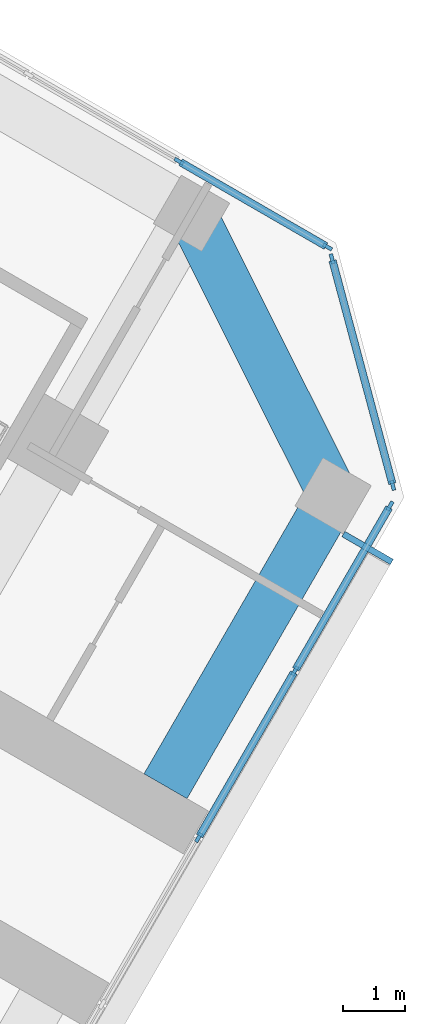
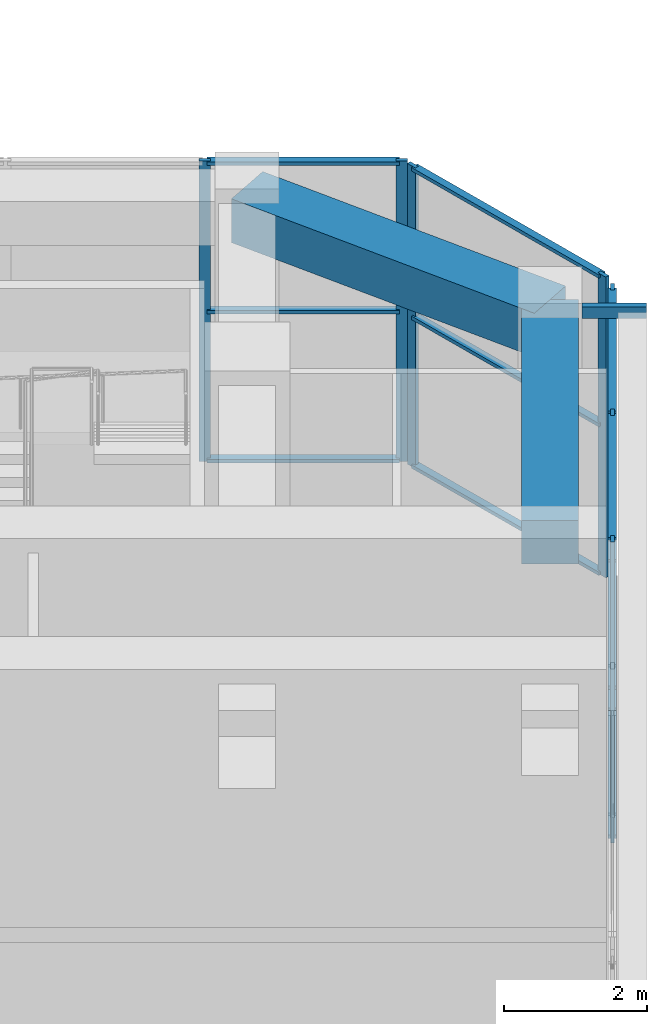
# One storey, part 10 of 20: 20 members, 2 beams, 3 elements without a shape of their own.
"""IFC4 building model written with IfcOpenShell, lengths in metres."""

from ifc_helpers import new_model, si_unit, direction, frame, origin, origin_2d, place, context, subcontext, project, spatial, rectangle, hollow_rectangle, extrude, material, material_profile, profile_set, type_object, element, aggregate, save


model = new_model("IFC4")

# Units and contexts
model_context = context("Model", 3, precision=1e-05, world=origin(), true_north=direction((0.0, 1.0)))
body_context = subcontext(model_context, "Body", "Model", "MODEL_VIEW")
ifc_project = project(units=[si_unit("LENGTHUNIT", "METRE"), si_unit("AREAUNIT", "SQUARE_METRE"), si_unit("VOLUMEUNIT", "CUBIC_METRE"), si_unit("PLANEANGLEUNIT", "RADIAN"), si_unit("MASSUNIT", "GRAM", prefix="KILO")], contexts=[model_context])

# Site, building, storey
site_placement = place(None, origin())
site = spatial("IfcSite", under=ifc_project, at=site_placement, CompositionType="ELEMENT")
building_placement = place(site_placement, origin())
building = spatial("IfcBuilding", under=site, at=building_placement, Name="Kosmar Iwan School Tower", CompositionType="ELEMENT")
storey_placement = place(building_placement, frame((0.0, 0.0, 152.60009765625)))
storey = spatial("IfcBuildingStorey", under=building, at=storey_placement, Name="L38", CompositionType="ELEMENT", Elevation=152.60009765625)

# Member
ifc_material_1 = material(Name="Steel S355", Category="steel")
ifc_material_profile_1 = material_profile(ifc_material_1, hollow_rectangle(XDim=0.10009765625, YDim=0.199951171875, WallThickness=0.008056640625, at=origin_2d()), Name="RHS 200x100x8")
ifc_profile_set_1 = profile_set([ifc_material_profile_1], Name="Steel S355")
member_type_1 = type_object("IfcMemberType", Name="Fin bracket RHS 200x100", PredefinedType="USERDEFINED", material=ifc_profile_set_1)
member_1_placement = place(storey_placement, frame((32.963134765625, -11.006103515625, 5.27490234375), z_axis=(0.866081705922, -0.499902469156, 0.0), x_axis=(0.499902469156, 0.866081705922, 0.0)))
element("IfcMember", 1, at=member_1_placement, inside=storey, type_object=member_type_1, Name="Fin bracket L39", ObjectType="FIN BRACKET", PredefinedType="USERDEFINED", context=body_context, shape_type="SweptSolid", body=[
    extrude(hollow_rectangle(XDim=0.10009765625, YDim=0.199951171875, WallThickness=0.008056640625, at=origin_2d()), origin(), (0.0, 0.0, 1.0), 0.900146484375),
])

# Curtain wall, members
ifc_material_2 = material(Name="Dark glass in black aluminium frame", Category="aluminium")
curtain_wall_type_1 = type_object("IfcCurtainWallType", Name="Tower curtain wall dark glass", PredefinedType="USERDEFINED", material=ifc_material_2)
curtain_wall_1_placement = place(storey_placement, origin())
curtain_wall_1 = element("IfcCurtainWall", 2, at=curtain_wall_1_placement, inside=storey, type_object=curtain_wall_type_1, Name="Curtain wall L38-F03", ObjectType="UNITISED CURTAIN WALL", PredefinedType="USERDEFINED")
ifc_material_3 = material(Name="Black anodised aluminium", Category="aluminium")
ifc_material_profile_2 = material_profile(ifc_material_3, rectangle(XDim=0.06005859375, YDim=0.159912109375, at=origin_2d()), Name="MULLION 60x160")
ifc_profile_set_2 = profile_set([ifc_material_profile_2], Name="Black anodised aluminium")
member_type_2 = type_object("IfcMemberType", Name="Mullion 60x160", PredefinedType="MULLION", material=ifc_profile_set_2)
member_2_placement = place(storey_placement, frame((30.631103515625, -15.8955078125, 0.0), z_axis=(0.0, 0.0, 1.0), x_axis=(-0.866025405329, 0.499999997325, 0.0)))
member_2 = element("IfcMember", 3, at=member_2_placement, type_object=member_type_2, Name="CW1 mullion 4", PredefinedType="MULLION", context=body_context, shape_type="SweptSolid", body=[
    extrude(rectangle(XDim=0.06005859375, YDim=0.159912109375, at=origin_2d()), origin(), (0.0, 0.0, 1.0), 5.14990234375),
])
member_3_placement = place(storey_placement, frame((32.1806640625, -13.21142578125, 0.0), z_axis=(0.0, 0.0, 1.0), x_axis=(-0.866025405329, 0.499999997325, 0.0)))
member_3 = element("IfcMember", 4, at=member_3_placement, type_object=member_type_2, Name="CW1 mullion 5", PredefinedType="MULLION", context=body_context, shape_type="SweptSolid", body=[
    extrude(rectangle(XDim=0.06005859375, YDim=0.159912109375, at=origin_2d()), origin(), (0.0, 0.0, 1.0), 5.14990234375),
])
member_4_placement = place(storey_placement, frame((33.71533203125, -10.55322265625, 0.0), z_axis=(0.0, 0.0, 1.0), x_axis=(-0.866025405329, 0.499999997325, 0.0)))
member_4 = element("IfcMember", 5, at=member_4_placement, type_object=member_type_2, Name="CW1 mullion 6", PredefinedType="MULLION", context=body_context, shape_type="SweptSolid", body=[
    extrude(rectangle(XDim=0.06005859375, YDim=0.159912109375, at=origin_2d()), origin(), (0.0, 0.0, 1.0), 5.14990234375),
])

ifc_material_4 = material(Name="Dark glass in black aluminium frame", Category="aluminium")
curtain_wall_type_2 = type_object("IfcCurtainWallType", Name="Chamfer curtain wall dark glass", PredefinedType="USERDEFINED", material=ifc_material_4)
curtain_wall_2_placement = place(storey_placement, origin())
curtain_wall_2 = element("IfcCurtainWall", 6, at=curtain_wall_2_placement, inside=storey, type_object=curtain_wall_type_2, Name="Curtain wall L38-F04", ObjectType="FACETED CURTAIN WALL", PredefinedType="USERDEFINED")
member_5_placement = place(storey_placement, frame((33.7587890625, -10.2236328125, 0.0), z_axis=(0.0, 0.0, 1.0), x_axis=(-0.965925875495, -0.258818861462, 0.0)))
member_5 = element("IfcMember", 7, at=member_5_placement, type_object=member_type_2, Name="CW2 mullion 1", PredefinedType="MULLION", context=body_context, shape_type="SweptSolid", body=[
    extrude(rectangle(XDim=0.06005859375, YDim=0.159912109375, at=origin_2d()), origin(), (0.0, 0.0, 1.0), 5.14990234375),
])
member_6_placement = place(storey_placement, frame((32.78076171875, -6.5732421875, 0.0), z_axis=(0.0, 0.0, 1.0), x_axis=(-0.965925875495, -0.258818861462, 0.0)))
member_6 = element("IfcMember", 8, at=member_6_placement, type_object=member_type_2, Name="CW2 mullion 2", PredefinedType="MULLION", context=body_context, shape_type="SweptSolid", body=[
    extrude(rectangle(XDim=0.06005859375, YDim=0.159912109375, at=origin_2d()), origin(), (0.0, 0.0, 1.0), 5.14990234375),
])

ifc_material_5 = material(Name="Dark glass in black aluminium frame", Category="aluminium")
curtain_wall_type_3 = type_object("IfcCurtainWallType", Name="Winter garden curtain wall", PredefinedType="USERDEFINED", material=ifc_material_5)
curtain_wall_3_placement = place(storey_placement, origin())
curtain_wall_3 = element("IfcCurtainWall", 9, at=curtain_wall_3_placement, inside=storey, type_object=curtain_wall_type_3, Name="Curtain wall L38-F05", ObjectType="WINTER GARDEN CURTAIN WALL", PredefinedType="USERDEFINED")
member_7_placement = place(storey_placement, frame((30.31494140625, -5.002685546875, 0.0), z_axis=(0.0, 0.0, 1.0), x_axis=(0.500000014888, 0.866025395189, 0.0)))
member_7 = element("IfcMember", 10, at=member_7_placement, type_object=member_type_2, Name="CW7 mullion 9", PredefinedType="MULLION", context=body_context, shape_type="SweptSolid", body=[
    extrude(rectangle(XDim=0.06005859375, YDim=0.159912109375, at=origin_2d()), origin(), (0.0, 0.0, 1.0), 5.14990234375),
])
member_8_placement = place(storey_placement, frame((32.7080078125, -6.38427734375, 0.0), z_axis=(0.0, 0.0, 1.0), x_axis=(0.500000014888, 0.866025395189, 0.0)))
member_8 = element("IfcMember", 11, at=member_8_placement, type_object=member_type_2, Name="CW7 mullion 10", PredefinedType="MULLION", context=body_context, shape_type="SweptSolid", body=[
    extrude(rectangle(XDim=0.06005859375, YDim=0.159912109375, at=origin_2d()), origin(), (0.0, 0.0, 1.0), 5.14990234375),
])

# Beams
ifc_material_6 = material(Name="Concrete C50/60", Category="concrete")
ifc_material_profile_3 = material_profile(ifc_material_6, rectangle(XDim=0.800048828125, YDim=0.75, at=origin_2d()), Name="RC 800x750")
ifc_profile_set_3 = profile_set([ifc_material_profile_3], Name="Concrete C50/60")
beam_type = type_object("IfcBeamType", Name="RC tip beam 800x750", PredefinedType="BEAM", material=ifc_profile_set_3)
beam_1_placement = place(storey_placement, frame((30.517822265625, -5.841552734375, 4.77490234375), z_axis=(0.44809604203, -0.893985423325, 0.0), x_axis=(0.893985423325, 0.44809604203, 0.0)))
element("IfcBeam", 12, at=beam_1_placement, inside=storey, type_object=beam_type, Name="Tip beam CL", PredefinedType="BEAM", context=body_context, shape_type="SweptSolid", body=[
    extrude(rectangle(XDim=0.800048828125, YDim=0.75, at=origin_2d()), origin(), (0.0, 0.0, 1.0), 5.08935546875),
])
beam_2_placement = place(storey_placement, frame((32.79833984375, -10.391357421875, 4.77490234375), z_axis=(-0.499995103361, -0.866028230842, 0.0), x_axis=(0.866028230842, -0.499995103361, 0.0)))
element("IfcBeam", 13, at=beam_2_placement, inside=storey, type_object=beam_type, Name="Tip beam CL to corridor wall", PredefinedType="BEAM", context=body_context, shape_type="SweptSolid", body=[
    extrude(rectangle(XDim=0.800048828125, YDim=0.75, at=origin_2d()), origin(), (0.0, 0.0, 1.0), 5.39990234375),
])

# Member
ifc_material_7 = material(Name="Black anodised aluminium", Category="aluminium")
ifc_material_profile_4 = material_profile(ifc_material_7, rectangle(XDim=0.1201171875, YDim=0.06005859375, at=origin_2d()), Name="TRANSOM 60x120")
ifc_profile_set_4 = profile_set([ifc_material_profile_4], Name="Black anodised aluminium")
member_type_3 = type_object("IfcMemberType", Name="Transom 60x120", PredefinedType="USERDEFINED", material=ifc_profile_set_4)
member_9_placement = place(storey_placement, frame((30.64599609375, -15.869384765625, 0.02978515625), z_axis=(0.500035348339, 0.866004994449, 0.0), x_axis=(-0.866004994449, 0.500035348339, 0.0)))
member_9 = element("IfcMember", 14, at=member_9_placement, type_object=member_type_3, Name="CW1 transom 4.1", ObjectType="TRANSOM", PredefinedType="USERDEFINED", context=body_context, shape_type="SweptSolid", body=[
    extrude(rectangle(XDim=0.1201171875, YDim=0.06005859375, at=origin_2d()), origin(), (0.0, 0.0, 1.0), 3.039306640625),
])

member_10_placement = place(storey_placement, frame((30.64599609375, -15.869384765625, 2.574951171875), z_axis=(0.500035348339, 0.866004994449, 0.0), x_axis=(-0.866004994449, 0.500035348339, 0.0)))
member_10 = element("IfcMember", 15, at=member_10_placement, type_object=member_type_3, Name="CW1 transom 4.2", ObjectType="TRANSOM", PredefinedType="USERDEFINED", context=body_context, shape_type="SweptSolid", body=[
    extrude(rectangle(XDim=0.1201171875, YDim=0.06005859375, at=origin_2d()), origin(), (0.0, 0.0, 1.0), 3.039306640625),
])

member_11_placement = place(storey_placement, frame((30.64599609375, -15.869384765625, 5.119873046875), z_axis=(0.500035348339, 0.866004994449, 0.0), x_axis=(-0.866004994449, 0.500035348339, 0.0)))
member_11 = element("IfcMember", 16, at=member_11_placement, type_object=member_type_3, Name="CW1 transom 4.3", ObjectType="TRANSOM", PredefinedType="USERDEFINED", context=body_context, shape_type="SweptSolid", body=[
    extrude(rectangle(XDim=0.1201171875, YDim=0.06005859375, at=origin_2d()), origin(), (0.0, 0.0, 1.0), 3.039306640625),
])

member_12_placement = place(storey_placement, frame((32.19580078125, -13.185302734375, 0.02978515625), z_axis=(0.500022102064, 0.866012642776, 0.0), x_axis=(-0.866012642776, 0.500022102064, 0.0)))
member_12 = element("IfcMember", 17, at=member_12_placement, type_object=member_type_3, Name="CW1 transom 5.1", ObjectType="TRANSOM", PredefinedType="USERDEFINED", context=body_context, shape_type="SweptSolid", body=[
    extrude(rectangle(XDim=0.1201171875, YDim=0.06005859375, at=origin_2d()), origin(), (0.0, 0.0, 1.0), 3.009033203125),
])

member_13_placement = place(storey_placement, frame((32.19580078125, -13.185302734375, 2.574951171875), z_axis=(0.500022102064, 0.866012642776, 0.0), x_axis=(-0.866012642776, 0.500022102064, 0.0)))
member_13 = element("IfcMember", 18, at=member_13_placement, type_object=member_type_3, Name="CW1 transom 5.2", ObjectType="TRANSOM", PredefinedType="USERDEFINED", context=body_context, shape_type="SweptSolid", body=[
    extrude(rectangle(XDim=0.1201171875, YDim=0.06005859375, at=origin_2d()), origin(), (0.0, 0.0, 1.0), 3.009033203125),
])

member_14_placement = place(storey_placement, frame((32.19580078125, -13.185302734375, 5.119873046875), z_axis=(0.500022102064, 0.866012642776, 0.0), x_axis=(-0.866012642776, 0.500022102064, 0.0)))
member_14 = element("IfcMember", 19, at=member_14_placement, type_object=member_type_3, Name="CW1 transom 5.3", ObjectType="TRANSOM", PredefinedType="USERDEFINED", context=body_context, shape_type="SweptSolid", body=[
    extrude(rectangle(XDim=0.1201171875, YDim=0.06005859375, at=origin_2d()), origin(), (0.0, 0.0, 1.0), 3.009033203125),
])

aggregate(curtain_wall_1, [member_2, member_3, member_4, member_9, member_10, member_11, member_12, member_13, member_14])

member_15_placement = place(storey_placement, frame((33.7509765625, -10.194580078125, 0.02978515625), z_axis=(-0.258843273983, 0.965919333854, 0.0), x_axis=(-0.965919333854, -0.258843273983, 0.0)))
member_15 = element("IfcMember", 20, at=member_15_placement, type_object=member_type_3, Name="CW2 transom 1.1", ObjectType="TRANSOM", PredefinedType="USERDEFINED", context=body_context, shape_type="SweptSolid", body=[
    extrude(rectangle(XDim=0.1201171875, YDim=0.06005859375, at=origin_2d()), origin(), (0.0, 0.0, 1.0), 3.718994140625),
])

member_16_placement = place(storey_placement, frame((33.7509765625, -10.194580078125, 2.574951171875), z_axis=(-0.258843273983, 0.965919333854, 0.0), x_axis=(-0.965919333854, -0.258843273983, 0.0)))
member_16 = element("IfcMember", 21, at=member_16_placement, type_object=member_type_3, Name="CW2 transom 1.2", ObjectType="TRANSOM", PredefinedType="USERDEFINED", context=body_context, shape_type="SweptSolid", body=[
    extrude(rectangle(XDim=0.1201171875, YDim=0.06005859375, at=origin_2d()), origin(), (0.0, 0.0, 1.0), 3.718994140625),
])

member_17_placement = place(storey_placement, frame((33.7509765625, -10.194580078125, 5.119873046875), z_axis=(-0.258843273983, 0.965919333854, 0.0), x_axis=(-0.965919333854, -0.258843273983, 0.0)))
member_17 = element("IfcMember", 22, at=member_17_placement, type_object=member_type_3, Name="CW2 transom 1.3", ObjectType="TRANSOM", PredefinedType="USERDEFINED", context=body_context, shape_type="SweptSolid", body=[
    extrude(rectangle(XDim=0.1201171875, YDim=0.06005859375, at=origin_2d()), origin(), (0.0, 0.0, 1.0), 3.718994140625),
])

aggregate(curtain_wall_2, [member_5, member_6, member_15, member_16, member_17])

member_18_placement = place(storey_placement, frame((30.341064453125, -5.017822265625, 0.02978515625), z_axis=(0.866033683985, -0.499985657998, 0.0), x_axis=(0.499985657998, 0.866033683985, 0.0)))
member_18 = element("IfcMember", 23, at=member_18_placement, type_object=member_type_3, Name="CW7 transom 9.1", ObjectType="TRANSOM", PredefinedType="USERDEFINED", context=body_context, shape_type="SweptSolid", body=[
    extrude(rectangle(XDim=0.1201171875, YDim=0.06005859375, at=origin_2d()), origin(), (0.0, 0.0, 1.0), 2.703125),
])

member_19_placement = place(storey_placement, frame((30.341064453125, -5.017822265625, 2.574951171875), z_axis=(0.866033683985, -0.499985657998, 0.0), x_axis=(0.499985657998, 0.866033683985, 0.0)))
member_19 = element("IfcMember", 24, at=member_19_placement, type_object=member_type_3, Name="CW7 transom 9.2", ObjectType="TRANSOM", PredefinedType="USERDEFINED", context=body_context, shape_type="SweptSolid", body=[
    extrude(rectangle(XDim=0.1201171875, YDim=0.06005859375, at=origin_2d()), origin(), (0.0, 0.0, 1.0), 2.703125),
])

member_20_placement = place(storey_placement, frame((30.341064453125, -5.017822265625, 5.119873046875), z_axis=(0.866033683985, -0.499985657998, 0.0), x_axis=(0.499985657998, 0.866033683985, 0.0)))
member_20 = element("IfcMember", 25, at=member_20_placement, type_object=member_type_3, Name="CW7 transom 9.3", ObjectType="TRANSOM", PredefinedType="USERDEFINED", context=body_context, shape_type="SweptSolid", body=[
    extrude(rectangle(XDim=0.1201171875, YDim=0.06005859375, at=origin_2d()), origin(), (0.0, 0.0, 1.0), 2.703125),
])

aggregate(curtain_wall_3, [member_7, member_8, member_18, member_19, member_20])

save(model, "model.ifc")
